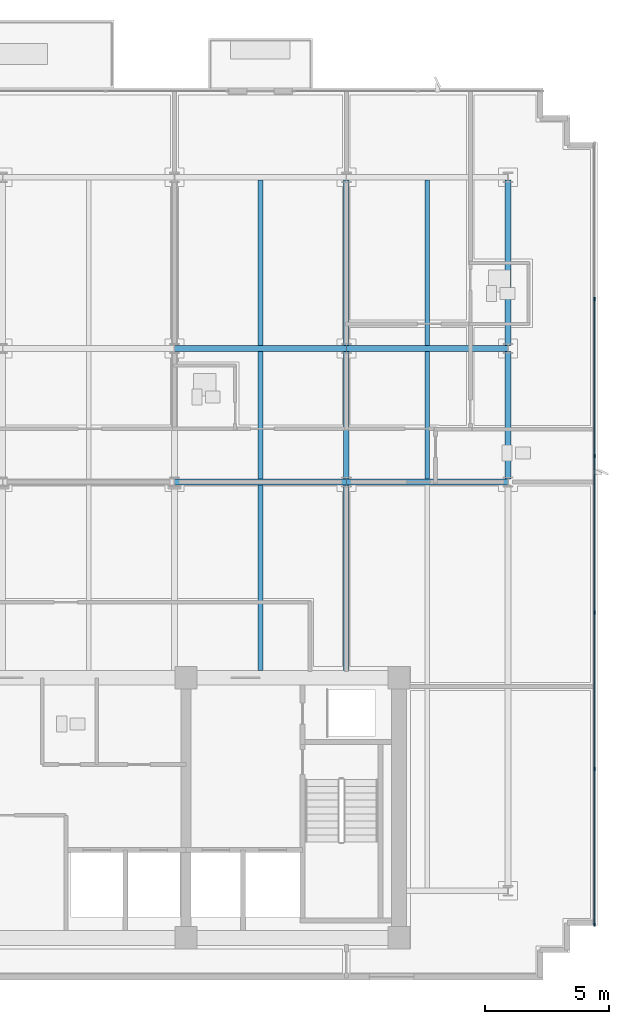
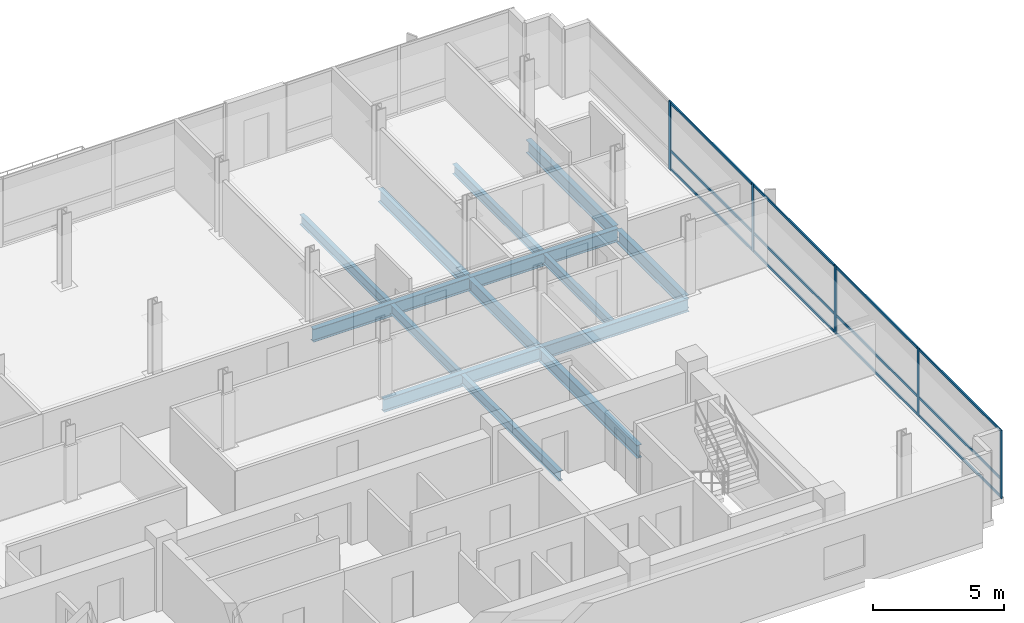
# One storey, part 6 of 19: 17 members, 14 beams, 1 element without a shape of its own.
"""IFC4 building model written with IfcOpenShell, lengths in metres."""

from ifc_helpers import new_model, si_unit, direction, frame, origin, origin_2d, place, context, subcontext, project, spatial, rectangle, i_section, extrude, material, material_profile, profile_set, type_object, element, aggregate, save


model = new_model("IFC4")

# Units and contexts
model_context = context("Model", 3, precision=1e-05, world=origin(), true_north=direction((0.0, 1.0)))
body_context = subcontext(model_context, "Body", "Model", "MODEL_VIEW")
ifc_project = project(units=[si_unit("LENGTHUNIT", "METRE"), si_unit("AREAUNIT", "SQUARE_METRE"), si_unit("VOLUMEUNIT", "CUBIC_METRE"), si_unit("PLANEANGLEUNIT", "RADIAN"), si_unit("MASSUNIT", "GRAM", prefix="KILO")], contexts=[model_context])

# Site, building, storey
site_placement = place(None, origin())
site = spatial("IfcSite", under=ifc_project, at=site_placement, CompositionType="ELEMENT")
building_placement = place(site_placement, origin())
building = spatial("IfcBuilding", under=site, at=building_placement, Name="Solmavex Isthmus Hotel", CompositionType="ELEMENT")
storey_placement = place(building_placement, frame((0.0, 0.0, 262.64990234375)))
storey = spatial("IfcBuildingStorey", under=building, at=storey_placement, Name="L71", CompositionType="ELEMENT", Elevation=262.64990234375)

# Beams
ifc_material_1 = material(Name="Steel ASTM A992 Grade 50", Category="steel")
ifc_material_profile_1 = material_profile(ifc_material_1, i_section(OverallWidth=0.1904296875, OverallDepth=0.456787109375, WebThickness=0.009033203125, FlangeThickness=0.014404296875, FilletRadius=0.0126953125, at=origin_2d()), Name="W18X50")
ifc_profile_set_1 = profile_set([ifc_material_profile_1], Name="Steel ASTM A992 Grade 50")
beam_type_1 = type_object("IfcBeamType", Name="BM-BJ-W18X50", PredefinedType="JOIST", material=ifc_profile_set_1)
beam_1_placement = place(storey_placement, frame((10.404052734375, -2.199951171875, -0.48828125), z_axis=(0.0, 1.0, 0.0), x_axis=(-1.0, 0.0, 0.0)))
element("IfcBeam", 1, at=beam_1_placement, inside=storey, type_object=beam_type_1, Name="Secondary Floor Joist L71-J13", PredefinedType="JOIST", context=body_context, shape_type="SweptSolid", body=[
    extrude(i_section(OverallWidth=0.1904296875, OverallDepth=0.456787109375, WebThickness=0.009033203125, FlangeThickness=0.014404296875, FilletRadius=0.0126953125, at=origin_2d()), origin(), (0.0, 0.0, 1.0), 7.486083984375),
])
beam_2_placement = place(storey_placement, frame((10.404052734375, 5.513916015625, -0.48828125), z_axis=(0.0, 1.0, 0.0), x_axis=(-1.0, 0.0, 0.0)))
element("IfcBeam", 2, at=beam_2_placement, inside=storey, type_object=beam_type_1, Name="Secondary Floor Joist L71-J14", PredefinedType="JOIST", context=body_context, shape_type="SweptSolid", body=[
    extrude(i_section(OverallWidth=0.1904296875, OverallDepth=0.456787109375, WebThickness=0.009033203125, FlangeThickness=0.014404296875, FilletRadius=0.0126953125, at=origin_2d()), origin(), (0.0, 0.0, 1.0), 5.16015625),
])
beam_3_placement = place(storey_placement, frame((10.404052734375, 10.90185546875, -0.48828125), z_axis=(0.0, 1.0, 0.0), x_axis=(-1.0, 0.0, 0.0)))
element("IfcBeam", 3, at=beam_3_placement, inside=storey, type_object=beam_type_1, Name="Secondary Floor Joist L71-J15", PredefinedType="JOIST", context=body_context, shape_type="SweptSolid", body=[
    extrude(i_section(OverallWidth=0.1904296875, OverallDepth=0.456787109375, WebThickness=0.009033203125, FlangeThickness=0.014404296875, FilletRadius=0.0126953125, at=origin_2d()), origin(), (0.0, 0.0, 1.0), 6.682861328125),
])
beam_4_placement = place(storey_placement, frame((17.135986328125, 5.513916015625, -0.48828125), z_axis=(0.0, 1.0, 0.0), x_axis=(-1.0, 0.0, 0.0)))
element("IfcBeam", 4, at=beam_4_placement, inside=storey, type_object=beam_type_1, Name="Secondary Floor Joist L71-J17", PredefinedType="JOIST", context=body_context, shape_type="SweptSolid", body=[
    extrude(i_section(OverallWidth=0.1904296875, OverallDepth=0.456787109375, WebThickness=0.009033203125, FlangeThickness=0.014404296875, FilletRadius=0.0126953125, at=origin_2d()), origin(), (0.0, 0.0, 1.0), 5.16015625),
])
beam_5_placement = place(storey_placement, frame((17.135986328125, 10.90185546875, -0.48828125), z_axis=(0.0, 1.0, 0.0), x_axis=(-1.0, 0.0, 0.0)))
element("IfcBeam", 5, at=beam_5_placement, inside=storey, type_object=beam_type_1, Name="Secondary Floor Joist L71-J18", PredefinedType="JOIST", context=body_context, shape_type="SweptSolid", body=[
    extrude(i_section(OverallWidth=0.1904296875, OverallDepth=0.456787109375, WebThickness=0.009033203125, FlangeThickness=0.014404296875, FilletRadius=0.0126953125, at=origin_2d()), origin(), (0.0, 0.0, 1.0), 6.682861328125),
])
ifc_material_profile_2 = material_profile(ifc_material_1, i_section(OverallWidth=0.227783203125, OverallDepth=0.602783203125, WebThickness=0.010498046875, FlangeThickness=0.014892578125, FilletRadius=0.01513671875, at=origin_2d()), Name="W24X68")
ifc_profile_set_2 = profile_set([ifc_material_profile_2], Name="Steel ASTM A992 Grade 50")
beam_type_2 = type_object("IfcBeamType", Name="BM-BM-W24X68", PredefinedType="BEAM", material=ifc_profile_set_2)
beam_6_placement = place(storey_placement, frame((6.93603515625, 5.39990234375, -0.561279296875), z_axis=(1.0, 0.0, 0.0), x_axis=(0.0, 1.0, 0.0)))
element("IfcBeam", 6, at=beam_6_placement, inside=storey, type_object=beam_type_2, Name="Floor Girder L71-UG07", PredefinedType="BEAM", context=body_context, shape_type="SweptSolid", body=[
    extrude(i_section(OverallWidth=0.227783203125, OverallDepth=0.602783203125, WebThickness=0.010498046875, FlangeThickness=0.014892578125, FilletRadius=0.01513671875, at=origin_2d()), origin(), (0.0, 0.0, 1.0), 6.93603515625),
])
beam_7_placement = place(storey_placement, frame((13.8720703125, 5.39990234375, -0.561279296875), z_axis=(1.0, 0.0, 0.0), x_axis=(0.0, 1.0, 0.0)))
element("IfcBeam", 7, at=beam_7_placement, inside=storey, type_object=beam_type_2, Name="Floor Girder L71-UG08", PredefinedType="BEAM", context=body_context, shape_type="SweptSolid", body=[
    extrude(i_section(OverallWidth=0.227783203125, OverallDepth=0.602783203125, WebThickness=0.010498046875, FlangeThickness=0.014892578125, FilletRadius=0.01513671875, at=origin_2d()), origin(), (0.0, 0.0, 1.0), 6.52783203125),
])
beam_8_placement = place(storey_placement, frame((6.93603515625, 10.7880859375, -0.561279296875), z_axis=(1.0, 0.0, 0.0), x_axis=(0.0, 1.0, 0.0)))
element("IfcBeam", 8, at=beam_8_placement, inside=storey, type_object=beam_type_2, Name="Floor Girder L71-UG13", PredefinedType="BEAM", context=body_context, shape_type="SweptSolid", body=[
    extrude(i_section(OverallWidth=0.227783203125, OverallDepth=0.602783203125, WebThickness=0.010498046875, FlangeThickness=0.014892578125, FilletRadius=0.01513671875, at=origin_2d()), origin(), (0.0, 0.0, 1.0), 6.93603515625),
])
beam_9_placement = place(storey_placement, frame((13.8720703125, 10.7880859375, -0.561279296875), z_axis=(1.0, 0.0, 0.0), x_axis=(0.0, 1.0, 0.0)))
element("IfcBeam", 9, at=beam_9_placement, inside=storey, type_object=beam_type_2, Name="Floor Girder L71-UG14", PredefinedType="BEAM", context=body_context, shape_type="SweptSolid", body=[
    extrude(i_section(OverallWidth=0.227783203125, OverallDepth=0.602783203125, WebThickness=0.010498046875, FlangeThickness=0.014892578125, FilletRadius=0.01513671875, at=origin_2d()), origin(), (0.0, 0.0, 1.0), 6.52783203125),
])
beam_10_placement = place(storey_placement, frame((13.8720703125, -2.199951171875, -0.561279296875), z_axis=(0.0, 1.0, 0.0), x_axis=(-1.0, 0.0, 0.0)))
element("IfcBeam", 10, at=beam_10_placement, inside=storey, type_object=beam_type_2, Name="Floor Beam L71-VG36", PredefinedType="BEAM", context=body_context, shape_type="SweptSolid", body=[
    extrude(i_section(OverallWidth=0.227783203125, OverallDepth=0.602783203125, WebThickness=0.010498046875, FlangeThickness=0.014892578125, FilletRadius=0.01513671875, at=origin_2d()), origin(), (0.0, 0.0, 1.0), 7.486083984375),
])
beam_11_placement = place(storey_placement, frame((13.8720703125, 5.513916015625, -0.561279296875), z_axis=(0.0, 1.0, 0.0), x_axis=(-1.0, 0.0, 0.0)))
element("IfcBeam", 11, at=beam_11_placement, inside=storey, type_object=beam_type_2, Name="Floor Beam L71-VG37", PredefinedType="BEAM", context=body_context, shape_type="SweptSolid", body=[
    extrude(i_section(OverallWidth=0.227783203125, OverallDepth=0.602783203125, WebThickness=0.010498046875, FlangeThickness=0.014892578125, FilletRadius=0.01513671875, at=origin_2d()), origin(), (0.0, 0.0, 1.0), 5.16015625),
])
beam_12_placement = place(storey_placement, frame((13.8720703125, 10.90185546875, -0.561279296875), z_axis=(0.0, 1.0, 0.0), x_axis=(-1.0, 0.0, 0.0)))
element("IfcBeam", 12, at=beam_12_placement, inside=storey, type_object=beam_type_2, Name="Floor Beam L71-VG38", PredefinedType="BEAM", context=body_context, shape_type="SweptSolid", body=[
    extrude(i_section(OverallWidth=0.227783203125, OverallDepth=0.602783203125, WebThickness=0.010498046875, FlangeThickness=0.014892578125, FilletRadius=0.01513671875, at=origin_2d()), origin(), (0.0, 0.0, 1.0), 6.682861328125),
])
ifc_material_profile_3 = material_profile(ifc_material_1, i_section(OverallWidth=0.230224609375, OverallDepth=0.617431640625, WebThickness=0.01318359375, FlangeThickness=0.022216796875, FilletRadius=0.01513671875, at=origin_2d()), Name="W24X94")
ifc_profile_set_3 = profile_set([ifc_material_profile_3], Name="Steel ASTM A992 Grade 50")
beam_type_3 = type_object("IfcBeamType", Name="BM-SP-W24X94", PredefinedType="SPANDREL", material=ifc_profile_set_3)
beam_13_placement = place(storey_placement, frame((20.39990234375, 5.513916015625, -0.568603515625), z_axis=(0.0, 1.0, 0.0), x_axis=(-1.0, 0.0, 0.0)))
element("IfcBeam", 13, at=beam_13_placement, inside=storey, type_object=beam_type_3, Name="Floor Beam L71-VG40", PredefinedType="SPANDREL", context=body_context, shape_type="SweptSolid", body=[
    extrude(i_section(OverallWidth=0.230224609375, OverallDepth=0.617431640625, WebThickness=0.01318359375, FlangeThickness=0.022216796875, FilletRadius=0.01513671875, at=origin_2d()), origin(), (0.0, 0.0, 1.0), 5.16015625),
])
beam_14_placement = place(storey_placement, frame((20.39990234375, 10.90185546875, -0.568603515625), z_axis=(0.0, 1.0, 0.0), x_axis=(-1.0, 0.0, 0.0)))
element("IfcBeam", 14, at=beam_14_placement, inside=storey, type_object=beam_type_3, Name="Floor Beam L71-VG41", PredefinedType="SPANDREL", context=body_context, shape_type="SweptSolid", body=[
    extrude(i_section(OverallWidth=0.230224609375, OverallDepth=0.617431640625, WebThickness=0.01318359375, FlangeThickness=0.022216796875, FilletRadius=0.01513671875, at=origin_2d()), origin(), (0.0, 0.0, 1.0), 6.682861328125),
])

# Curtain wall, members
ifc_material_2 = material(Name="Aluminium alloy 6063-T6", Category="aluminium")
curtain_wall_type = type_object("IfcCurtainWallType", Name="CW-SYS-06", PredefinedType="NOTDEFINED", material=ifc_material_2)
curtain_wall_placement = place(storey_placement, origin())
curtain_wall = element("IfcCurtainWall", 15, at=curtain_wall_placement, inside=storey, type_object=curtain_wall_type, Name="Stick Curtain Wall CWL-L71-E1", PredefinedType="NOTDEFINED")
ifc_material_profile_4 = material_profile(ifc_material_2, rectangle(XDim=0.06005859375, YDim=0.139892578125, at=origin_2d()), Name="CWM-60X140")
ifc_profile_set_4 = profile_set([ifc_material_profile_4], Name="Aluminium alloy 6063-T6")
member_type_1 = type_object("IfcMemberType", Name="CW-SYS-06-MUL", PredefinedType="MULLION", material=ifc_profile_set_4)
member_1_placement = place(storey_placement, frame((23.8798828125, -12.469970703125, 0.0), z_axis=(0.0, 0.0, 1.0), x_axis=(-1.0, 0.0, 0.0)))
member_1 = element("IfcMember", 16, at=member_1_placement, type_object=member_type_1, Name="CW-06 mullion 1", PredefinedType="MULLION", context=body_context, shape_type="SweptSolid", body=[
    extrude(rectangle(XDim=0.06005859375, YDim=0.139892578125, at=origin_2d()), origin(), (0.0, 0.0, 1.0), 3.190185546875),
])
member_2_placement = place(storey_placement, frame((23.8798828125, -6.179931640625, 0.0), z_axis=(0.0, 0.0, 1.0), x_axis=(-1.0, 0.0, 0.0)))
member_2 = element("IfcMember", 17, at=member_2_placement, type_object=member_type_1, Name="CW-06 mullion 2", PredefinedType="MULLION", context=body_context, shape_type="SweptSolid", body=[
    extrude(rectangle(XDim=0.06005859375, YDim=0.139892578125, at=origin_2d()), origin(), (0.0, 0.0, 1.0), 3.190185546875),
])
member_3_placement = place(storey_placement, frame((23.8798828125, 0.139892578125, 0.0), z_axis=(0.0, 0.0, 1.0), x_axis=(-1.0, 0.0, 0.0)))
member_3 = element("IfcMember", 18, at=member_3_placement, type_object=member_type_1, Name="CW-06 mullion 3", PredefinedType="MULLION", context=body_context, shape_type="SweptSolid", body=[
    extrude(rectangle(XDim=0.06005859375, YDim=0.139892578125, at=origin_2d()), origin(), (0.0, 0.0, 1.0), 3.190185546875),
])
member_4_placement = place(storey_placement, frame((23.8798828125, 6.4599609375, 0.0), z_axis=(0.0, 0.0, 1.0), x_axis=(-1.0, 0.0, 0.0)))
member_4 = element("IfcMember", 19, at=member_4_placement, type_object=member_type_1, Name="CW-06 mullion 4", PredefinedType="MULLION", context=body_context, shape_type="SweptSolid", body=[
    extrude(rectangle(XDim=0.06005859375, YDim=0.139892578125, at=origin_2d()), origin(), (0.0, 0.0, 1.0), 3.190185546875),
])
member_5_placement = place(storey_placement, frame((23.8798828125, 12.780029296875, 0.0), z_axis=(0.0, 0.0, 1.0), x_axis=(-1.0, 0.0, 0.0)))
member_5 = element("IfcMember", 20, at=member_5_placement, type_object=member_type_1, Name="CW-06 mullion 5", PredefinedType="MULLION", context=body_context, shape_type="SweptSolid", body=[
    extrude(rectangle(XDim=0.06005859375, YDim=0.139892578125, at=origin_2d()), origin(), (0.0, 0.0, 1.0), 3.190185546875),
])
ifc_material_profile_5 = material_profile(ifc_material_2, rectangle(XDim=0.06005859375, YDim=0.114990234375, at=origin_2d()), Name="CWT-60X115")
ifc_profile_set_5 = profile_set([ifc_material_profile_5], Name="Aluminium alloy 6063-T6")
member_type_2 = type_object("IfcMemberType", Name="CW-SYS-06-TRN", PredefinedType="USERDEFINED", material=ifc_profile_set_5)
member_6_placement = place(storey_placement, frame((23.8798828125, -12.43994140625, 0.0576171875), z_axis=(0.0, 1.0, 0.0), x_axis=(-1.0, 0.0, 0.0)))
member_6 = element("IfcMember", 21, at=member_6_placement, type_object=member_type_2, Name="CW-06 transom 1.1", ObjectType="TRANSOM", PredefinedType="USERDEFINED", context=body_context, shape_type="SweptSolid", body=[
    extrude(rectangle(XDim=0.06005859375, YDim=0.114990234375, at=origin_2d()), origin(), (0.0, 0.0, 1.0), 6.22998046875),
])
member_7_placement = place(storey_placement, frame((23.8798828125, -12.43994140625, 0.900146484375), z_axis=(0.0, 1.0, 0.0), x_axis=(-1.0, 0.0, 0.0)))
member_7 = element("IfcMember", 22, at=member_7_placement, type_object=member_type_2, Name="CW-06 transom 1.2", ObjectType="TRANSOM", PredefinedType="USERDEFINED", context=body_context, shape_type="SweptSolid", body=[
    extrude(rectangle(XDim=0.06005859375, YDim=0.114990234375, at=origin_2d()), origin(), (0.0, 0.0, 1.0), 6.22998046875),
])
member_8_placement = place(storey_placement, frame((23.8798828125, -12.43994140625, 3.132568359375), z_axis=(0.0, 1.0, 0.0), x_axis=(-1.0, 0.0, 0.0)))
member_8 = element("IfcMember", 23, at=member_8_placement, type_object=member_type_2, Name="CW-06 transom 1.3", ObjectType="TRANSOM", PredefinedType="USERDEFINED", context=body_context, shape_type="SweptSolid", body=[
    extrude(rectangle(XDim=0.06005859375, YDim=0.114990234375, at=origin_2d()), origin(), (0.0, 0.0, 1.0), 6.22998046875),
])
member_9_placement = place(storey_placement, frame((23.8798828125, -6.14990234375, 0.0576171875), z_axis=(0.0, 1.0, 0.0), x_axis=(-1.0, 0.0, 0.0)))
member_9 = element("IfcMember", 24, at=member_9_placement, type_object=member_type_2, Name="CW-06 transom 2.1", ObjectType="TRANSOM", PredefinedType="USERDEFINED", context=body_context, shape_type="SweptSolid", body=[
    extrude(rectangle(XDim=0.06005859375, YDim=0.114990234375, at=origin_2d()), origin(), (0.0, 0.0, 1.0), 6.260009765625),
])
member_10_placement = place(storey_placement, frame((23.8798828125, -6.14990234375, 0.900146484375), z_axis=(0.0, 1.0, 0.0), x_axis=(-1.0, 0.0, 0.0)))
member_10 = element("IfcMember", 25, at=member_10_placement, type_object=member_type_2, Name="CW-06 transom 2.2", ObjectType="TRANSOM", PredefinedType="USERDEFINED", context=body_context, shape_type="SweptSolid", body=[
    extrude(rectangle(XDim=0.06005859375, YDim=0.114990234375, at=origin_2d()), origin(), (0.0, 0.0, 1.0), 6.260009765625),
])
member_11_placement = place(storey_placement, frame((23.8798828125, -6.14990234375, 3.132568359375), z_axis=(0.0, 1.0, 0.0), x_axis=(-1.0, 0.0, 0.0)))
member_11 = element("IfcMember", 26, at=member_11_placement, type_object=member_type_2, Name="CW-06 transom 2.3", ObjectType="TRANSOM", PredefinedType="USERDEFINED", context=body_context, shape_type="SweptSolid", body=[
    extrude(rectangle(XDim=0.06005859375, YDim=0.114990234375, at=origin_2d()), origin(), (0.0, 0.0, 1.0), 6.260009765625),
])
member_12_placement = place(storey_placement, frame((23.8798828125, 0.169921875, 0.0576171875), z_axis=(0.0, 1.0, 0.0), x_axis=(-1.0, 0.0, 0.0)))
member_12 = element("IfcMember", 27, at=member_12_placement, type_object=member_type_2, Name="CW-06 transom 3.1", ObjectType="TRANSOM", PredefinedType="USERDEFINED", context=body_context, shape_type="SweptSolid", body=[
    extrude(rectangle(XDim=0.06005859375, YDim=0.114990234375, at=origin_2d()), origin(), (0.0, 0.0, 1.0), 6.260009765625),
])
member_13_placement = place(storey_placement, frame((23.8798828125, 0.169921875, 0.900146484375), z_axis=(0.0, 1.0, 0.0), x_axis=(-1.0, 0.0, 0.0)))
member_13 = element("IfcMember", 28, at=member_13_placement, type_object=member_type_2, Name="CW-06 transom 3.2", ObjectType="TRANSOM", PredefinedType="USERDEFINED", context=body_context, shape_type="SweptSolid", body=[
    extrude(rectangle(XDim=0.06005859375, YDim=0.114990234375, at=origin_2d()), origin(), (0.0, 0.0, 1.0), 6.260009765625),
])
member_14_placement = place(storey_placement, frame((23.8798828125, 0.169921875, 3.132568359375), z_axis=(0.0, 1.0, 0.0), x_axis=(-1.0, 0.0, 0.0)))
member_14 = element("IfcMember", 29, at=member_14_placement, type_object=member_type_2, Name="CW-06 transom 3.3", ObjectType="TRANSOM", PredefinedType="USERDEFINED", context=body_context, shape_type="SweptSolid", body=[
    extrude(rectangle(XDim=0.06005859375, YDim=0.114990234375, at=origin_2d()), origin(), (0.0, 0.0, 1.0), 6.260009765625),
])
member_15_placement = place(storey_placement, frame((23.8798828125, 6.489990234375, 0.0576171875), z_axis=(0.0, 1.0, 0.0), x_axis=(-1.0, 0.0, 0.0)))
member_15 = element("IfcMember", 30, at=member_15_placement, type_object=member_type_2, Name="CW-06 transom 4.1", ObjectType="TRANSOM", PredefinedType="USERDEFINED", context=body_context, shape_type="SweptSolid", body=[
    extrude(rectangle(XDim=0.06005859375, YDim=0.114990234375, at=origin_2d()), origin(), (0.0, 0.0, 1.0), 6.260009765625),
])
member_16_placement = place(storey_placement, frame((23.8798828125, 6.489990234375, 0.900146484375), z_axis=(0.0, 1.0, 0.0), x_axis=(-1.0, 0.0, 0.0)))
member_16 = element("IfcMember", 31, at=member_16_placement, type_object=member_type_2, Name="CW-06 transom 4.2", ObjectType="TRANSOM", PredefinedType="USERDEFINED", context=body_context, shape_type="SweptSolid", body=[
    extrude(rectangle(XDim=0.06005859375, YDim=0.114990234375, at=origin_2d()), origin(), (0.0, 0.0, 1.0), 6.260009765625),
])
member_17_placement = place(storey_placement, frame((23.8798828125, 6.489990234375, 3.132568359375), z_axis=(0.0, 1.0, 0.0), x_axis=(-1.0, 0.0, 0.0)))
member_17 = element("IfcMember", 32, at=member_17_placement, type_object=member_type_2, Name="CW-06 transom 4.3", ObjectType="TRANSOM", PredefinedType="USERDEFINED", context=body_context, shape_type="SweptSolid", body=[
    extrude(rectangle(XDim=0.06005859375, YDim=0.114990234375, at=origin_2d()), origin(), (0.0, 0.0, 1.0), 6.260009765625),
])
aggregate(curtain_wall, [member_1, member_2, member_3, member_4, member_5, member_6, member_7, member_8, member_9, member_10, member_11, member_12, member_13, member_14, member_15, member_16, member_17])

save(model, "model.ifc")
